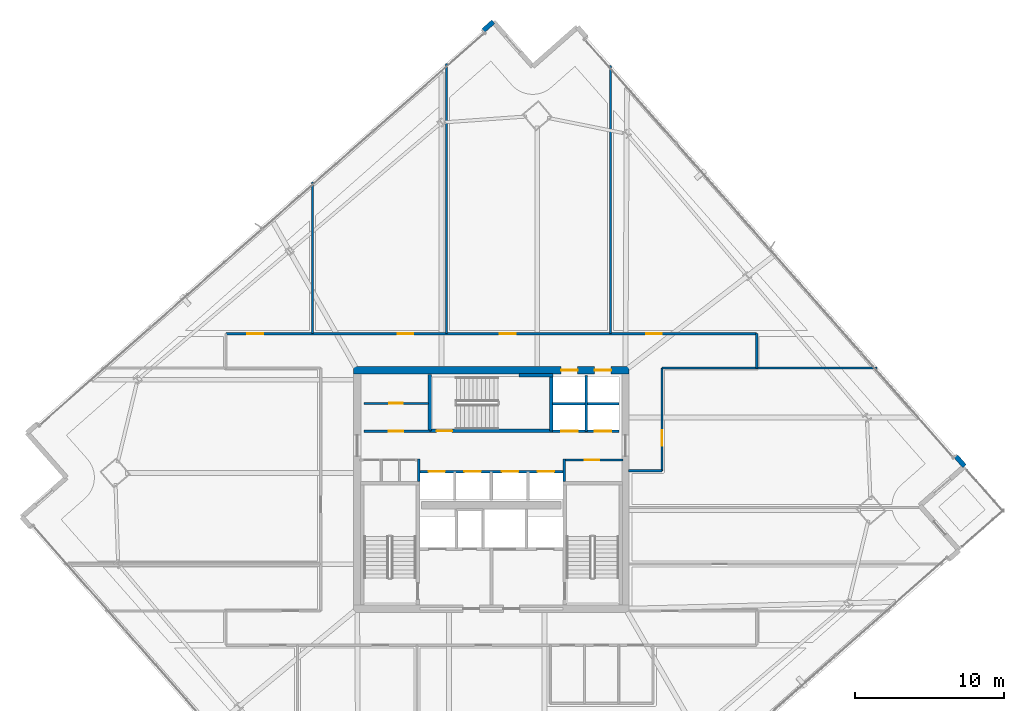
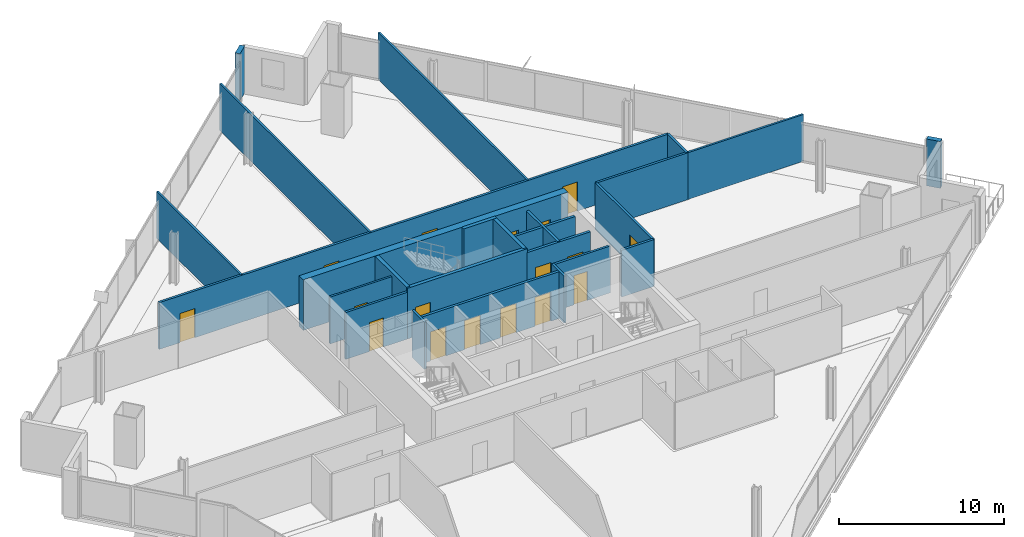
# One storey, part 28 of 34: 25 walls, 17 doors, 17 openings.
"""IFC4 building model written with IfcOpenShell, lengths in metres."""

from ifc_helpers import new_model, si_unit, direction, frame, frame_2d, origin, place, context, subcontext, project, spatial, rectangle, extrude, material, layer, layer_set, type_object, element, fill, save


model = new_model("IFC4")

# Units and contexts
model_context = context("Model", 3, precision=1e-05, world=origin(), true_north=direction((0.0, 1.0)))
body_context = subcontext(model_context, "Body", "Model", "MODEL_VIEW")
ifc_project = project(units=[si_unit("LENGTHUNIT", "METRE"), si_unit("AREAUNIT", "SQUARE_METRE"), si_unit("VOLUMEUNIT", "CUBIC_METRE"), si_unit("PLANEANGLEUNIT", "RADIAN"), si_unit("MASSUNIT", "GRAM", prefix="KILO")], contexts=[model_context])

# Site, building, storey
site_placement = place(None, origin())
site = spatial("IfcSite", under=ifc_project, at=site_placement, CompositionType="ELEMENT")
building_placement = place(site_placement, origin())
building = spatial("IfcBuilding", under=site, at=building_placement, Name="Haldenkirk Collegiate Tower", CompositionType="ELEMENT")
storey_placement = place(building_placement, frame((0.0, 0.0, 166.949951171875)))
storey = spatial("IfcBuildingStorey", under=building, at=storey_placement, Name="L41", CompositionType="ELEMENT", Elevation=166.949951171875)

# Wall, openings, doors
ifc_material_1 = material(Name="Concrete f'c 55 MPa", Category="concrete")
ifc_layer_1 = layer(ifc_material_1, 0.5)
ifc_layer_set_1 = layer_set([ifc_layer_1], Name="Concrete f'c 55 MPa")
wall_type_1 = type_object("IfcWallType", Name="WL-CORE-500", PredefinedType="SHEAR", material=ifc_layer_set_1)
wall_1_placement = place(storey_placement, frame((26.75, 34.0, 0.0), z_axis=(0.0, 0.0, 1.0), x_axis=(1.0, 0.0, 0.0)))
wall_1 = element("IfcWall", 1, at=wall_1_placement, inside=storey, type_object=wall_type_1, Name="L41 central core shear wall N", PredefinedType="SHEAR", context=body_context, shape_type="SweptSolid", body=[
    extrude(rectangle(XDim=18.5, YDim=0.5, at=frame_2d((9.25, 0.0))), origin(), (0.0, 0.0, 1.0), 3.75),
])
opening_1_placement = place(wall_1_placement, frame((13.93505859375, 0.0, 0.0)))
opening_1 = element("IfcOpeningElement", 2, at=opening_1_placement, cuts=wall_1, Name="Opening LD-11", PredefinedType="OPENING", context=body_context, shape_type="SweptSolid", body=[
    extrude(rectangle(XDim=1.10009765625, YDim=2.14990234375, at=frame_2d((0.550048828125, 1.074951171875))), frame((0.0, 0.260009765625, 0.0), z_axis=(0.0, -1.0, 0.0), x_axis=(1.0, 0.0, 0.0)), (0.0, 0.0, 1.0), 0.52001953125),
])
opening_2_placement = place(wall_1_placement, frame((16.18505859375, 0.0, 0.0)))
opening_2 = element("IfcOpeningElement", 3, at=opening_2_placement, cuts=wall_1, Name="Opening LD-11", PredefinedType="OPENING", context=body_context, shape_type="SweptSolid", body=[
    extrude(rectangle(XDim=1.10009765625, YDim=2.14990234375, at=frame_2d((0.550048828125, 1.074951171875))), frame((0.0, 0.260009765625, 0.0), z_axis=(0.0, -1.0, 0.0), x_axis=(1.0, 0.0, 0.0)), (0.0, 0.0, 1.0), 0.52001953125),
])
ifc_material_2 = material(Name="Brushed architectural stainless steel", Category="steel")
ifc_layer_2 = layer(ifc_material_2, 0.06005859375)
ifc_layer_set_2 = layer_set([ifc_layer_2], Name="Brushed architectural stainless steel")
door_type_1 = type_object("IfcDoorType", Name="LD-PASS-1100", OperationType="NOTDEFINED", PredefinedType="DOOR", material=ifc_layer_set_2)
door_1_placement = place(opening_1_placement, origin())
door_1 = element("IfcDoor", 4, at=door_1_placement, inside=storey, type_object=door_type_1, Name="L41 Elevator PM3 sliding landing door", OperationType="SLIDING_TO_LEFT", OverallHeight=2.14990234375, OverallWidth=1.10009765625, PredefinedType="DOOR", context=body_context, shape_type="SweptSolid", body=[
    extrude(rectangle(XDim=1.10009765625, YDim=2.14990234375, at=frame_2d((0.550048828125, 1.074951171875))), frame((0.0, 0.02490234375, 0.0), z_axis=(0.0, -1.0, 0.0), x_axis=(1.0, 0.0, 0.0)), (0.0, 0.0, 1.0), 0.050048828125),
])
fill(opening_1, door_1)
door_2_placement = place(opening_2_placement, origin())
door_2 = element("IfcDoor", 5, at=door_2_placement, inside=storey, type_object=door_type_1, Name="L41 Elevator PM4 sliding landing door", OperationType="SLIDING_TO_LEFT", OverallHeight=2.14990234375, OverallWidth=1.10009765625, PredefinedType="DOOR", context=body_context, shape_type="SweptSolid", body=[
    extrude(rectangle(XDim=1.10009765625, YDim=2.14990234375, at=frame_2d((0.550048828125, 1.074951171875))), frame((0.0, 0.02490234375, 0.0), z_axis=(0.0, -1.0, 0.0), x_axis=(1.0, 0.0, 0.0)), (0.0, 0.0, 1.0), 0.050048828125),
])
fill(opening_2, door_2)

# Walls
ifc_material_3 = material(Name="Precast concrete f'c 40 MPa", Category="concrete")
ifc_layer_3 = layer(ifc_material_3, 0.320068359375)
ifc_layer_set_3 = layer_set([ifc_layer_3], Name="Precast concrete f'c 40 MPa")
wall_type_2 = type_object("IfcWallType", Name="WL-EXT-TWR-320", PredefinedType="STANDARD", material=ifc_layer_set_3)
wall_2_placement = place(storey_placement, frame((67.155517578125, 28.23779296875, 0.0), z_axis=(0.0, 0.0, 1.0), x_axis=(0.661226856215, -0.750186006681, 0.0)))
element("IfcWall", 6, at=wall_2_placement, inside=storey, type_object=wall_type_2, Name="L41 precast corner pier ER", PredefinedType="STANDARD", context=body_context, shape_type="SweptSolid", body=[
    extrude(rectangle(XDim=0.900146484375, YDim=0.320068359375, at=frame_2d((0.4501953125, 0.0))), origin(), (0.0, 0.0, 1.0), 3.4599609375),
])
wall_3_placement = place(storey_placement, frame((35.45703125, 56.783203125, 0.0), z_axis=(0.0, 0.0, 1.0), x_axis=(0.750067388761, 0.661361408246, 0.0)))
element("IfcWall", 7, at=wall_3_placement, inside=storey, type_object=wall_type_2, Name="L41 precast corner pier NR", PredefinedType="STANDARD", context=body_context, shape_type="SweptSolid", body=[
    extrude(rectangle(XDim=0.89990234375, YDim=0.320068359375, at=frame_2d((0.449951171875, 0.0))), origin(), (0.0, 0.0, 1.0), 3.4599609375),
])
ifc_material_4 = material(Name="Acoustic fire-rated gypsum partition", Category="concrete")
ifc_layer_4 = layer(ifc_material_4, 0.159912109375)
ifc_layer_set_4 = layer_set([ifc_layer_4], Name="Acoustic fire-rated gypsum partition")
wall_type_3 = type_object("IfcWallType", Name="WL-INT-CORR-160", PredefinedType="PARTITIONING", material=ifc_layer_set_4)
wall_4_placement = place(storey_placement, frame((31.1201171875, 26.5400390625, 0.0), z_axis=(0.0, 0.0, 1.0), x_axis=(0.0, 1.0, 0.0)))
element("IfcWall", 8, at=wall_4_placement, inside=storey, type_object=wall_type_3, Name="L41 interior partition IW-L41-VCSW-E", PredefinedType="PARTITIONING", context=body_context, shape_type="SweptSolid", body=[
    extrude(rectangle(XDim=1.510009765625, YDim=0.159912109375, at=frame_2d((0.7548828125, 0.0))), origin(), (0.0, 0.0, 1.0), 3.4599609375),
])

# Wall, opening, door
wall_5_placement = place(storey_placement, frame((40.800048828125, 27.97998046875, 0.0), z_axis=(0.0, 0.0, 1.0), x_axis=(1.0, 0.0, 0.0)))
wall_5 = element("IfcWall", 9, at=wall_5_placement, inside=storey, type_object=wall_type_3, Name="L41 interior partition IW-L41-VCSE-N", PredefinedType="PARTITIONING", context=body_context, shape_type="SweptSolid", body=[
    extrude(rectangle(XDim=4.050048828125, YDim=0.159912109375, at=frame_2d((2.02490234375, 0.0))), origin(), (0.0, 0.0, 1.0), 3.4599609375),
])
opening_3_placement = place(wall_5_placement, frame((1.47509765625, 0.0, 0.0)))
opening_3 = element("IfcOpeningElement", 10, at=opening_3_placement, cuts=wall_5, Name="Opening D-10", PredefinedType="OPENING", context=body_context, shape_type="SweptSolid", body=[
    extrude(rectangle(XDim=0.949951171875, YDim=2.14990234375, at=frame_2d((0.47509765625, 1.074951171875))), frame((0.0, 0.08984375, 0.0), z_axis=(0.0, -1.0, 0.0), x_axis=(1.0, 0.0, 0.0)), (0.0, 0.0, 1.0), 0.179931640625),
])
ifc_material_5 = material(Name="Solid-core architectural oak fire door", Category="wood")
ifc_layer_5 = layer(ifc_material_5, 0.06005859375)
ifc_layer_set_5 = layer_set([ifc_layer_5], Name="Solid-core architectural oak fire door")
door_type_2 = type_object("IfcDoorType", Name="DR-INT-FD60-950", OperationType="NOTDEFINED", PredefinedType="DOOR", material=ifc_layer_set_5)
door_3_placement = place(opening_3_placement, origin())
door_3 = element("IfcDoor", 11, at=door_3_placement, inside=storey, type_object=door_type_2, Name="L41 core archive vault door", OperationType="SINGLE_SWING_RIGHT", OverallHeight=2.14990234375, OverallWidth=0.949951171875, PredefinedType="DOOR", context=body_context, shape_type="SweptSolid", body=[
    extrude(rectangle(XDim=0.949951171875, YDim=2.14990234375, at=frame_2d((0.47509765625, 1.074951171875))), frame((0.0, 0.02490234375, 0.0), z_axis=(0.0, -1.0, 0.0), x_axis=(1.0, 0.0, 0.0)), (0.0, 0.0, 1.0), 0.050048828125),
])
fill(opening_3, door_3)

# Wall
wall_6_placement = place(storey_placement, frame((40.8798828125, 26.5400390625, 0.0), z_axis=(0.0, 0.0, 1.0), x_axis=(0.0, 1.0, 0.0)))
element("IfcWall", 12, at=wall_6_placement, inside=storey, type_object=wall_type_3, Name="L41 interior partition IW-L41-VCSE-W", PredefinedType="PARTITIONING", context=body_context, shape_type="SweptSolid", body=[
    extrude(rectangle(XDim=1.510009765625, YDim=0.159912109375, at=frame_2d((0.7548828125, 0.0))), origin(), (0.0, 0.0, 1.0), 3.4599609375),
])

# Wall, opening, door
wall_7_placement = place(storey_placement, frame((27.449951171875, 29.89990234375, 0.0), z_axis=(0.0, 0.0, 1.0), x_axis=(1.0, 0.0, 0.0)))
wall_7 = element("IfcWall", 13, at=wall_7_placement, inside=storey, type_object=wall_type_3, Name="L41 interior partition IW-L41-PLS", PredefinedType="PARTITIONING", context=body_context, shape_type="SweptSolid", body=[
    extrude(rectangle(XDim=4.429931640625, YDim=0.159912109375, at=frame_2d((2.21484375, 0.0))), origin(), (0.0, 0.0, 1.0), 3.4599609375),
])
opening_4_placement = place(wall_7_placement, frame((1.675048828125, 0.0, 0.0)))
opening_4 = element("IfcOpeningElement", 14, at=opening_4_placement, cuts=wall_7, Name="Opening D-10", PredefinedType="OPENING", context=body_context, shape_type="SweptSolid", body=[
    extrude(rectangle(XDim=0.949951171875, YDim=2.14990234375, at=frame_2d((0.47509765625, 1.074951171875))), frame((0.0, 0.08984375, 0.0), z_axis=(0.0, -1.0, 0.0), x_axis=(1.0, 0.0, 0.0)), (0.0, 0.0, 1.0), 0.179931640625),
])
door_4_placement = place(opening_4_placement, origin())
door_4 = element("IfcDoor", 15, at=door_4_placement, inside=storey, type_object=door_type_2, Name="L41 consultation door", OperationType="SINGLE_SWING_LEFT", OverallHeight=2.14990234375, OverallWidth=0.949951171875, PredefinedType="DOOR", context=body_context, shape_type="SweptSolid", body=[
    extrude(rectangle(XDim=0.949951171875, YDim=2.14990234375, at=frame_2d((0.47509765625, 1.074951171875))), frame((0.0, 0.02490234375, 0.0), z_axis=(0.0, -1.0, 0.0), x_axis=(1.0, 0.0, 0.0)), (0.0, 0.0, 1.0), 0.050048828125),
])
fill(opening_4, door_4)

# Wall, openings, doors
wall_8_placement = place(storey_placement, frame((18.199951171875, 36.449951171875, 0.0), z_axis=(0.0, 0.0, 1.0), x_axis=(1.0, 0.0, 0.0)))
wall_8 = element("IfcWall", 16, at=wall_8_placement, inside=storey, type_object=wall_type_3, Name="L41 interior partition IW-L41-CN", PredefinedType="PARTITIONING", context=body_context, shape_type="SweptSolid", body=[
    extrude(rectangle(XDim=35.60009765625, YDim=0.159912109375, at=frame_2d((17.800048828125, 0.0))), origin(), (0.0, 0.0, 1.0), 3.4599609375),
])
opening_5_placement = place(wall_8_placement, frame((1.43701171875, 0.0, 0.0)))
opening_5 = element("IfcOpeningElement", 17, at=opening_5_placement, cuts=wall_8, Name="Opening D-09", PredefinedType="OPENING", context=body_context, shape_type="SweptSolid", body=[
    extrude(rectangle(XDim=1.050048828125, YDim=2.14990234375, at=frame_2d((0.52490234375, 1.074951171875))), frame((0.0, 0.08984375, 0.0), z_axis=(0.0, -1.0, 0.0), x_axis=(1.0, 0.0, 0.0)), (0.0, 0.0, 1.0), 0.179931640625),
])
opening_6_placement = place(wall_8_placement, frame((11.514892578125, 0.0, 0.0)))
opening_6 = element("IfcOpeningElement", 18, at=opening_6_placement, cuts=wall_8, Name="Opening D-09", PredefinedType="OPENING", context=body_context, shape_type="SweptSolid", body=[
    extrude(rectangle(XDim=1.050048828125, YDim=2.14990234375, at=frame_2d((0.52490234375, 1.074951171875))), frame((0.0, 0.08984375, 0.0), z_axis=(0.0, -1.0, 0.0), x_axis=(1.0, 0.0, 0.0)), (0.0, 0.0, 1.0), 0.179931640625),
])
opening_7_placement = place(wall_8_placement, frame((18.375, 0.0, 0.0)))
opening_7 = element("IfcOpeningElement", 19, at=opening_7_placement, cuts=wall_8, Name="Opening D-09", PredefinedType="OPENING", context=body_context, shape_type="SweptSolid", body=[
    extrude(rectangle(XDim=1.050048828125, YDim=2.14990234375, at=frame_2d((0.52490234375, 1.074951171875))), frame((0.0, 0.08984375, 0.0), z_axis=(0.0, -1.0, 0.0), x_axis=(1.0, 0.0, 0.0)), (0.0, 0.0, 1.0), 0.179931640625),
])
opening_8_placement = place(wall_8_placement, frame((28.18505859375, 0.0, 0.0)))
opening_8 = element("IfcOpeningElement", 20, at=opening_8_placement, cuts=wall_8, Name="Opening D-09", PredefinedType="OPENING", context=body_context, shape_type="SweptSolid", body=[
    extrude(rectangle(XDim=1.050048828125, YDim=2.14990234375, at=frame_2d((0.52490234375, 1.074951171875))), frame((0.0, 0.08984375, 0.0), z_axis=(0.0, -1.0, 0.0), x_axis=(1.0, 0.0, 0.0)), (0.0, 0.0, 1.0), 0.179931640625),
])
ifc_layer_6 = layer(ifc_material_5, 0.06005859375)
ifc_layer_set_6 = layer_set([ifc_layer_6], Name="Solid-core architectural oak fire door")
door_type_3 = type_object("IfcDoorType", Name="DR-INT-FD60-1050", OperationType="NOTDEFINED", PredefinedType="DOOR", material=ifc_layer_set_6)
door_5_placement = place(opening_5_placement, origin())
door_5 = element("IfcDoor", 21, at=door_5_placement, inside=storey, type_object=door_type_3, Name="L41 Case Method Seminar Room 4 door", OperationType="SINGLE_SWING_LEFT", OverallHeight=2.14990234375, OverallWidth=1.050048828125, PredefinedType="DOOR", context=body_context, shape_type="SweptSolid", body=[
    extrude(rectangle(XDim=1.050048828125, YDim=2.14990234375, at=frame_2d((0.52490234375, 1.074951171875))), frame((0.0, 0.02490234375, 0.0), z_axis=(0.0, -1.0, 0.0), x_axis=(1.0, 0.0, 0.0)), (0.0, 0.0, 1.0), 0.050048828125),
])
fill(opening_5, door_5)
door_6_placement = place(opening_6_placement, origin())
door_6 = element("IfcDoor", 22, at=door_6_placement, inside=storey, type_object=door_type_3, Name="L41 Breakout Conference Room 5 door", OperationType="SINGLE_SWING_RIGHT", OverallHeight=2.14990234375, OverallWidth=1.050048828125, PredefinedType="DOOR", context=body_context, shape_type="SweptSolid", body=[
    extrude(rectangle(XDim=1.050048828125, YDim=2.14990234375, at=frame_2d((0.52490234375, 1.074951171875))), frame((0.0, 0.02490234375, 0.0), z_axis=(0.0, -1.0, 0.0), x_axis=(1.0, 0.0, 0.0)), (0.0, 0.0, 1.0), 0.050048828125),
])
fill(opening_6, door_6)
door_7_placement = place(opening_7_placement, origin())
door_7 = element("IfcDoor", 23, at=door_7_placement, inside=storey, type_object=door_type_3, Name="L41 Critique Seminar Room 6 door", OperationType="SINGLE_SWING_LEFT", OverallHeight=2.14990234375, OverallWidth=1.050048828125, PredefinedType="DOOR", context=body_context, shape_type="SweptSolid", body=[
    extrude(rectangle(XDim=1.050048828125, YDim=2.14990234375, at=frame_2d((0.52490234375, 1.074951171875))), frame((0.0, 0.02490234375, 0.0), z_axis=(0.0, -1.0, 0.0), x_axis=(1.0, 0.0, 0.0)), (0.0, 0.0, 1.0), 0.050048828125),
])
fill(opening_7, door_7)
door_8_placement = place(opening_8_placement, origin())
door_8 = element("IfcDoor", 24, at=door_8_placement, inside=storey, type_object=door_type_3, Name="L41 Collegiate Commons Lounge 7 door", OperationType="SINGLE_SWING_RIGHT", OverallHeight=2.14990234375, OverallWidth=1.050048828125, PredefinedType="DOOR", context=body_context, shape_type="SweptSolid", body=[
    extrude(rectangle(XDim=1.050048828125, YDim=2.14990234375, at=frame_2d((0.52490234375, 1.074951171875))), frame((0.0, 0.02490234375, 0.0), z_axis=(0.0, -1.0, 0.0), x_axis=(1.0, 0.0, 0.0)), (0.0, 0.0, 1.0), 0.050048828125),
])
fill(opening_8, door_8)

# Wall
wall_9_placement = place(storey_placement, frame((47.449951171875, 34.14990234375, 0.0), z_axis=(0.0, 0.0, 1.0), x_axis=(1.0, 0.0, 0.0)))
element("IfcWall", 25, at=wall_9_placement, inside=storey, type_object=wall_type_3, Name="L41 interior partition IW-L41-CNE", PredefinedType="PARTITIONING", context=body_context, shape_type="SweptSolid", body=[
    extrude(rectangle(XDim=6.35009765625, YDim=0.159912109375, at=frame_2d((3.175048828125, 0.0))), origin(), (0.0, 0.0, 1.0), 3.4599609375),
])

# Wall, opening, door
wall_10_placement = place(storey_placement, frame((47.449951171875, 27.25, 0.0), z_axis=(0.0, 0.0, 1.0), x_axis=(0.0, 1.0, 0.0)))
wall_10 = element("IfcWall", 26, at=wall_10_placement, inside=storey, type_object=wall_type_3, Name="L41 interior partition IW-L41-CE", PredefinedType="PARTITIONING", context=body_context, shape_type="SweptSolid", body=[
    extrude(rectangle(XDim=6.89990234375, YDim=0.159912109375, at=frame_2d((3.449951171875, 0.0))), origin(), (0.0, 0.0, 1.0), 3.4599609375),
])
opening_9_placement = place(wall_10_placement, frame((1.68310546875, 0.0, 0.0)))
opening_9 = element("IfcOpeningElement", 27, at=opening_9_placement, cuts=wall_10, Name="Opening D-09", PredefinedType="OPENING", context=body_context, shape_type="SweptSolid", body=[
    extrude(rectangle(XDim=1.050048828125, YDim=2.14990234375, at=frame_2d((0.52490234375, 1.074951171875))), frame((0.0, 0.08984375, 0.0), z_axis=(0.0, -1.0, 0.0), x_axis=(1.0, 0.0, 0.0)), (0.0, 0.0, 1.0), 0.179931640625),
])
door_9_placement = place(opening_9_placement, origin())
door_9 = element("IfcDoor", 28, at=door_9_placement, inside=storey, type_object=door_type_3, Name="L41 Critique Seminar Room 12 door", OperationType="SINGLE_SWING_LEFT", OverallHeight=2.14990234375, OverallWidth=1.050048828125, PredefinedType="DOOR", context=body_context, shape_type="SweptSolid", body=[
    extrude(rectangle(XDim=1.050048828125, YDim=2.14990234375, at=frame_2d((0.52490234375, 1.074951171875))), frame((0.0, 0.02490234375, 0.0), z_axis=(0.0, -1.0, 0.0), x_axis=(1.0, 0.0, 0.0)), (0.0, 0.0, 1.0), 0.050048828125),
])
fill(opening_9, door_9)

# Walls
wall_11_placement = place(storey_placement, frame((45.199951171875, 27.25, 0.0), z_axis=(0.0, 0.0, 1.0), x_axis=(1.0, 0.0, 0.0)))
element("IfcWall", 29, at=wall_11_placement, inside=storey, type_object=wall_type_3, Name="L41 interior partition IW-L41-CES", PredefinedType="PARTITIONING", context=body_context, shape_type="SweptSolid", body=[
    extrude(rectangle(XDim=2.25, YDim=0.159912109375, at=frame_2d((1.125, 0.0))), origin(), (0.0, 0.0, 1.0), 3.4599609375),
])
wall_12_placement = place(storey_placement, frame((53.800048828125, 34.14990234375, 0.0), z_axis=(0.0, 0.0, 1.0), x_axis=(0.0, 1.0, 0.0)))
element("IfcWall", 30, at=wall_12_placement, inside=storey, type_object=wall_type_3, Name="L41 interior partition IW-L41-CNR", PredefinedType="PARTITIONING", context=body_context, shape_type="SweptSolid", body=[
    extrude(rectangle(XDim=2.300048828125, YDim=0.159912109375, at=frame_2d((1.14990234375, 0.0))), origin(), (0.0, 0.0, 1.0), 3.4599609375),
])

# Wall, opening, door
ifc_layer_7 = layer(ifc_material_4, 0.139892578125)
ifc_layer_set_7 = layer_set([ifc_layer_7], Name="Acoustic fire-rated gypsum partition")
wall_type_4 = type_object("IfcWallType", Name="WL-INT-DIV-140", PredefinedType="PARTITIONING", material=ifc_layer_set_7)
wall_13_placement = place(storey_placement, frame((27.449951171875, 31.780029296875, 0.0), z_axis=(0.0, 0.0, 1.0), x_axis=(1.0, 0.0, 0.0)))
wall_13 = element("IfcWall", 31, at=wall_13_placement, inside=storey, type_object=wall_type_4, Name="L41 interior partition IW-L41-PLDIVH", PredefinedType="PARTITIONING", context=body_context, shape_type="SweptSolid", body=[
    extrude(rectangle(XDim=4.35009765625, YDim=0.139892578125, at=frame_2d((2.175048828125, 0.0))), origin(), (0.0, 0.0, 1.0), 3.4599609375),
])
opening_10_placement = place(wall_13_placement, frame((1.699951171875, 0.0, 0.0)))
opening_10 = element("IfcOpeningElement", 32, at=opening_10_placement, cuts=wall_13, Name="Opening D-13", PredefinedType="OPENING", context=body_context, shape_type="SweptSolid", body=[
    extrude(rectangle(XDim=0.89990234375, YDim=2.14990234375, at=frame_2d((0.449951171875, 1.074951171875))), frame((0.0, 0.079833984375, 0.0), z_axis=(0.0, -1.0, 0.0), x_axis=(1.0, 0.0, 0.0)), (0.0, 0.0, 1.0), 0.159912109375),
])
ifc_layer_8 = layer(ifc_material_5, 0.06005859375)
ifc_layer_set_8 = layer_set([ifc_layer_8], Name="Solid-core architectural oak fire door")
door_type_4 = type_object("IfcDoorType", Name="DR-INT-STD-900", OperationType="NOTDEFINED", PredefinedType="DOOR", material=ifc_layer_set_8)
door_10_placement = place(opening_10_placement, origin())
door_10 = element("IfcDoor", 33, at=door_10_placement, inside=storey, type_object=door_type_4, Name="L41 folio vault door", OperationType="SINGLE_SWING_RIGHT", OverallHeight=2.14990234375, OverallWidth=0.89990234375, PredefinedType="DOOR", context=body_context, shape_type="SweptSolid", body=[
    extrude(rectangle(XDim=0.89990234375, YDim=2.14990234375, at=frame_2d((0.449951171875, 1.074951171875))), frame((0.0, 0.02490234375, 0.0), z_axis=(0.0, -1.0, 0.0), x_axis=(1.0, 0.0, 0.0)), (0.0, 0.0, 1.0), 0.050048828125),
])
fill(opening_10, door_10)

# Walls
wall_14_placement = place(storey_placement, frame((53.800048828125, 34.14990234375, 0.0), z_axis=(0.0, 0.0, 1.0), x_axis=(1.0, 0.0, 0.0)))
element("IfcWall", 34, at=wall_14_placement, inside=storey, type_object=wall_type_4, Name="L41 interior partition IW-L41-BEN", PredefinedType="PARTITIONING", context=body_context, shape_type="SweptSolid", body=[
    extrude(rectangle(XDim=8.08984375, YDim=0.139892578125, at=frame_2d((4.044921875, 0.0))), origin(), (0.0, 0.0, 1.0), 3.4599609375),
])
wall_15_placement = place(storey_placement, frame((24.0, 36.449951171875, 0.0), z_axis=(0.0, 0.0, 1.0), x_axis=(0.0, 1.0, 0.0)))
element("IfcWall", 35, at=wall_15_placement, inside=storey, type_object=wall_type_4, Name="L41 interior partition IW-L41-RN1", PredefinedType="PARTITIONING", context=body_context, shape_type="SweptSolid", body=[
    extrude(rectangle(XDim=10.179443359375, YDim=0.139892578125, at=frame_2d((5.08984375, 0.0))), origin(), (0.0, 0.0, 1.0), 3.4599609375),
])
wall_16_placement = place(storey_placement, frame((33.0, 36.449951171875, 0.0), z_axis=(0.0, 0.0, 1.0), x_axis=(0.0, 1.0, 0.0)))
element("IfcWall", 36, at=wall_16_placement, inside=storey, type_object=wall_type_4, Name="L41 interior partition IW-L41-RN2", PredefinedType="PARTITIONING", context=body_context, shape_type="SweptSolid", body=[
    extrude(rectangle(XDim=18.114013671875, YDim=0.139892578125, at=frame_2d((9.05712890625, 0.0))), origin(), (0.0, 0.0, 1.0), 3.4599609375),
])
wall_17_placement = place(storey_placement, frame((44.0, 36.449951171875, 0.0), z_axis=(0.0, 0.0, 1.0), x_axis=(0.0, 1.0, 0.0)))
element("IfcWall", 37, at=wall_17_placement, inside=storey, type_object=wall_type_4, Name="L41 interior partition IW-L41-RN3", PredefinedType="PARTITIONING", context=body_context, shape_type="SweptSolid", body=[
    extrude(rectangle(XDim=17.9921875, YDim=0.139892578125, at=frame_2d((8.99609375, 0.0))), origin(), (0.0, 0.0, 1.0), 3.4599609375),
])

# Wall, openings, doors
ifc_material_6 = material(Name="Fire-rated gypsum shaftboard assembly", Category="concrete")
ifc_layer_9 = layer(ifc_material_6, 0.179931640625)
ifc_layer_set_9 = layer_set([ifc_layer_9], Name="Fire-rated gypsum shaftboard assembly")
wall_type_5 = type_object("IfcWallType", Name="WL-INT-SHAFT-180", PredefinedType="PARTITIONING", material=ifc_layer_set_9)
wall_18_placement = place(storey_placement, frame((40.1201171875, 29.89990234375, 0.0), z_axis=(0.0, 0.0, 1.0), x_axis=(1.0, 0.0, 0.0)))
wall_18 = element("IfcWall", 38, at=wall_18_placement, inside=storey, type_object=wall_type_5, Name="L41 interior partition IW-L41-PMS", PredefinedType="PARTITIONING", context=body_context, shape_type="SweptSolid", body=[
    extrude(rectangle(XDim=4.429931640625, YDim=0.179931640625, at=frame_2d((2.21484375, 0.0))), origin(), (0.0, 0.0, 1.0), 3.4599609375),
])
opening_11_placement = place(wall_18_placement, frame((0.56494140625, 0.0, 0.0)))
opening_11 = element("IfcOpeningElement", 39, at=opening_11_placement, cuts=wall_18, Name="Opening LD-11", PredefinedType="OPENING", context=body_context, shape_type="SweptSolid", body=[
    extrude(rectangle(XDim=1.10009765625, YDim=2.14990234375, at=frame_2d((0.550048828125, 1.074951171875))), frame((0.0, 0.099853515625, 0.0), z_axis=(0.0, -1.0, 0.0), x_axis=(1.0, 0.0, 0.0)), (0.0, 0.0, 1.0), 0.199951171875),
])
opening_12_placement = place(wall_18_placement, frame((2.81494140625, 0.0, 0.0)))
opening_12 = element("IfcOpeningElement", 40, at=opening_12_placement, cuts=wall_18, Name="Opening LD-11", PredefinedType="OPENING", context=body_context, shape_type="SweptSolid", body=[
    extrude(rectangle(XDim=1.10009765625, YDim=2.14990234375, at=frame_2d((0.550048828125, 1.074951171875))), frame((0.0, 0.099853515625, 0.0), z_axis=(0.0, -1.0, 0.0), x_axis=(1.0, 0.0, 0.0)), (0.0, 0.0, 1.0), 0.199951171875),
])
door_11_placement = place(opening_11_placement, origin())
door_11 = element("IfcDoor", 41, at=door_11_placement, inside=storey, type_object=door_type_1, Name="L41 Elevator PM1 sliding landing door", OperationType="SLIDING_TO_LEFT", OverallHeight=2.14990234375, OverallWidth=1.10009765625, PredefinedType="DOOR", context=body_context, shape_type="SweptSolid", body=[
    extrude(rectangle(XDim=1.10009765625, YDim=2.14990234375, at=frame_2d((0.550048828125, 1.074951171875))), frame((0.0, 0.02490234375, 0.0), z_axis=(0.0, -1.0, 0.0), x_axis=(1.0, 0.0, 0.0)), (0.0, 0.0, 1.0), 0.050048828125),
])
fill(opening_11, door_11)
door_12_placement = place(opening_12_placement, origin())
door_12 = element("IfcDoor", 42, at=door_12_placement, inside=storey, type_object=door_type_1, Name="L41 Elevator PM2 sliding landing door", OperationType="SLIDING_TO_LEFT", OverallHeight=2.14990234375, OverallWidth=1.10009765625, PredefinedType="DOOR", context=body_context, shape_type="SweptSolid", body=[
    extrude(rectangle(XDim=1.10009765625, YDim=2.14990234375, at=frame_2d((0.550048828125, 1.074951171875))), frame((0.0, 0.02490234375, 0.0), z_axis=(0.0, -1.0, 0.0), x_axis=(1.0, 0.0, 0.0)), (0.0, 0.0, 1.0), 0.050048828125),
])
fill(opening_12, door_12)

# Walls
wall_19_placement = place(storey_placement, frame((40.1201171875, 31.75, 0.0), z_axis=(0.0, 0.0, 1.0), x_axis=(1.0, 0.0, 0.0)))
element("IfcWall", 43, at=wall_19_placement, inside=storey, type_object=wall_type_5, Name="L41 interior partition IW-L41-PMM", PredefinedType="PARTITIONING", context=body_context, shape_type="SweptSolid", body=[
    extrude(rectangle(XDim=4.429931640625, YDim=0.179931640625, at=frame_2d((2.21484375, 0.0))), origin(), (0.0, 0.0, 1.0), 3.4599609375),
])
wall_20_placement = place(storey_placement, frame((42.3701171875, 29.89990234375, 0.0), z_axis=(0.0, 0.0, 1.0), x_axis=(0.0, 1.0, 0.0)))
element("IfcWall", 44, at=wall_20_placement, inside=storey, type_object=wall_type_5, Name="L41 interior partition IW-L41-PMV", PredefinedType="PARTITIONING", context=body_context, shape_type="SweptSolid", body=[
    extrude(rectangle(XDim=3.75, YDim=0.179931640625, at=frame_2d((1.875, 0.0))), origin(), (0.0, 0.0, 1.0), 3.4599609375),
])

# Wall, openings, doors
wall_21_placement = place(storey_placement, frame((31.199951171875, 27.199951171875, 0.0), z_axis=(0.0, 0.0, 1.0), x_axis=(1.0, 0.0, 0.0)))
wall_21 = element("IfcWall", 45, at=wall_21_placement, inside=storey, type_object=wall_type_5, Name="L41 interior partition IW-L41-PHN", PredefinedType="PARTITIONING", context=body_context, shape_type="SweptSolid", body=[
    extrude(rectangle(XDim=9.60009765625, YDim=0.179931640625, at=frame_2d((4.800048828125, 0.0))), origin(), (0.0, 0.0, 1.0), 3.4599609375),
])
opening_13_placement = place(wall_21_placement, frame((0.590087890625, 0.0, 0.0)))
opening_13 = element("IfcOpeningElement", 46, at=opening_13_placement, cuts=wall_21, Name="Opening LD-11", PredefinedType="OPENING", context=body_context, shape_type="SweptSolid", body=[
    extrude(rectangle(XDim=1.10009765625, YDim=2.14990234375, at=frame_2d((0.550048828125, 1.074951171875))), frame((0.0, 0.099853515625, 0.0), z_axis=(0.0, -1.0, 0.0), x_axis=(1.0, 0.0, 0.0)), (0.0, 0.0, 1.0), 0.199951171875),
])
opening_14_placement = place(wall_21_placement, frame((2.989990234375, 0.0, 0.0)))
opening_14 = element("IfcOpeningElement", 47, at=opening_14_placement, cuts=wall_21, Name="Opening LD-11", PredefinedType="OPENING", context=body_context, shape_type="SweptSolid", body=[
    extrude(rectangle(XDim=1.10009765625, YDim=2.14990234375, at=frame_2d((0.550048828125, 1.074951171875))), frame((0.0, 0.099853515625, 0.0), z_axis=(0.0, -1.0, 0.0), x_axis=(1.0, 0.0, 0.0)), (0.0, 0.0, 1.0), 0.199951171875),
])
opening_15_placement = place(wall_21_placement, frame((5.510009765625, 0.0, 0.0)))
opening_15 = element("IfcOpeningElement", 48, at=opening_15_placement, cuts=wall_21, Name="Opening LD-11", PredefinedType="OPENING", context=body_context, shape_type="SweptSolid", body=[
    extrude(rectangle(XDim=1.10009765625, YDim=2.14990234375, at=frame_2d((0.550048828125, 1.074951171875))), frame((0.0, 0.099853515625, 0.0), z_axis=(0.0, -1.0, 0.0), x_axis=(1.0, 0.0, 0.0)), (0.0, 0.0, 1.0), 0.199951171875),
])
opening_16_placement = place(wall_21_placement, frame((7.909912109375, 0.0, 0.0)))
opening_16 = element("IfcOpeningElement", 49, at=opening_16_placement, cuts=wall_21, Name="Opening LD-11", PredefinedType="OPENING", context=body_context, shape_type="SweptSolid", body=[
    extrude(rectangle(XDim=1.10009765625, YDim=2.14990234375, at=frame_2d((0.550048828125, 1.074951171875))), frame((0.0, 0.099853515625, 0.0), z_axis=(0.0, -1.0, 0.0), x_axis=(1.0, 0.0, 0.0)), (0.0, 0.0, 1.0), 0.199951171875),
])
door_13_placement = place(opening_13_placement, origin())
door_13 = element("IfcDoor", 50, at=door_13_placement, inside=storey, type_object=door_type_1, Name="L41 Elevator PH1 sliding landing door", OperationType="SLIDING_TO_LEFT", OverallHeight=2.14990234375, OverallWidth=1.10009765625, PredefinedType="DOOR", context=body_context, shape_type="SweptSolid", body=[
    extrude(rectangle(XDim=1.10009765625, YDim=2.14990234375, at=frame_2d((0.550048828125, 1.074951171875))), frame((0.0, 0.02490234375, 0.0), z_axis=(0.0, -1.0, 0.0), x_axis=(1.0, 0.0, 0.0)), (0.0, 0.0, 1.0), 0.050048828125),
])
fill(opening_13, door_13)
door_14_placement = place(opening_14_placement, origin())
door_14 = element("IfcDoor", 51, at=door_14_placement, inside=storey, type_object=door_type_1, Name="L41 Elevator PH2 sliding landing door", OperationType="SLIDING_TO_LEFT", OverallHeight=2.14990234375, OverallWidth=1.10009765625, PredefinedType="DOOR", context=body_context, shape_type="SweptSolid", body=[
    extrude(rectangle(XDim=1.10009765625, YDim=2.14990234375, at=frame_2d((0.550048828125, 1.074951171875))), frame((0.0, 0.02490234375, 0.0), z_axis=(0.0, -1.0, 0.0), x_axis=(1.0, 0.0, 0.0)), (0.0, 0.0, 1.0), 0.050048828125),
])
fill(opening_14, door_14)
door_15_placement = place(opening_15_placement, origin())
door_15 = element("IfcDoor", 52, at=door_15_placement, inside=storey, type_object=door_type_1, Name="L41 Elevator PH3 sliding landing door", OperationType="SLIDING_TO_LEFT", OverallHeight=2.14990234375, OverallWidth=1.10009765625, PredefinedType="DOOR", context=body_context, shape_type="SweptSolid", body=[
    extrude(rectangle(XDim=1.10009765625, YDim=2.14990234375, at=frame_2d((0.550048828125, 1.074951171875))), frame((0.0, 0.02490234375, 0.0), z_axis=(0.0, -1.0, 0.0), x_axis=(1.0, 0.0, 0.0)), (0.0, 0.0, 1.0), 0.050048828125),
])
fill(opening_15, door_15)
door_16_placement = place(opening_16_placement, origin())
door_16 = element("IfcDoor", 53, at=door_16_placement, inside=storey, type_object=door_type_1, Name="L41 Elevator PH4 sliding landing door", OperationType="SLIDING_TO_LEFT", OverallHeight=2.14990234375, OverallWidth=1.10009765625, PredefinedType="DOOR", context=body_context, shape_type="SweptSolid", body=[
    extrude(rectangle(XDim=1.10009765625, YDim=2.14990234375, at=frame_2d((0.550048828125, 1.074951171875))), frame((0.0, 0.02490234375, 0.0), z_axis=(0.0, -1.0, 0.0), x_axis=(1.0, 0.0, 0.0)), (0.0, 0.0, 1.0), 0.050048828125),
])
fill(opening_16, door_16)

# Wall, opening, door
ifc_layer_10 = layer(ifc_material_1, 0.239990234375)
ifc_layer_set_10 = layer_set([ifc_layer_10], Name="Concrete f'c 55 MPa")
wall_type_6 = type_object("IfcWallType", Name="WL-SHAFT-240", PredefinedType="SHEAR", material=ifc_layer_set_10)
wall_22_placement = place(storey_placement, frame((31.760009765625, 29.929931640625, 0.0), z_axis=(0.0, 0.0, 1.0), x_axis=(1.0, 0.0, 0.0)))
wall_22 = element("IfcWall", 54, at=wall_22_placement, inside=storey, type_object=wall_type_6, Name="L41 stair shaft shear wall SW-L41-ST3S", PredefinedType="SHEAR", context=body_context, shape_type="SweptSolid", body=[
    extrude(rectangle(XDim=8.3798828125, YDim=0.239990234375, at=frame_2d((4.18994140625, 0.0))), origin(), (0.0, 0.0, 1.0), 3.75),
])
opening_17_placement = place(wall_22_placement, frame((0.56494140625, 0.0, 0.0)))
opening_17 = element("IfcOpeningElement", 55, at=opening_17_placement, cuts=wall_22, Name="Opening D-01", PredefinedType="OPENING", context=body_context, shape_type="SweptSolid", body=[
    extrude(rectangle(XDim=1.050048828125, YDim=2.14990234375, at=frame_2d((0.52490234375, 1.074951171875))), frame((0.0, 0.1298828125, 0.0), z_axis=(0.0, -1.0, 0.0), x_axis=(1.0, 0.0, 0.0)), (0.0, 0.0, 1.0), 0.260009765625),
])
ifc_material_7 = material(Name="Galvanized fire-rated hollow steel door", Category="steel")
ifc_layer_11 = layer(ifc_material_7, 0.06005859375)
ifc_layer_set_11 = layer_set([ifc_layer_11], Name="Galvanized fire-rated hollow steel door")
door_type_5 = type_object("IfcDoorType", Name="DR-STAIR-FD90-1050", OperationType="NOTDEFINED", PredefinedType="DOOR", material=ifc_layer_set_11)
door_17_placement = place(opening_17_placement, origin())
door_17 = element("IfcDoor", 56, at=door_17_placement, inside=storey, type_object=door_type_5, Name="L41 lift lobby Stair 3 door", OperationType="SINGLE_SWING_LEFT", OverallHeight=2.14990234375, OverallWidth=1.050048828125, PredefinedType="DOOR", context=body_context, shape_type="SweptSolid", body=[
    extrude(rectangle(XDim=1.050048828125, YDim=2.14990234375, at=frame_2d((0.52490234375, 1.074951171875))), frame((0.0, 0.02490234375, 0.0), z_axis=(0.0, -1.0, 0.0), x_axis=(1.0, 0.0, 0.0)), (0.0, 0.0, 1.0), 0.050048828125),
])
fill(opening_17, door_17)

# Walls
wall_23_placement = place(storey_placement, frame((31.8798828125, 29.929931640625, 0.0), z_axis=(0.0, 0.0, 1.0), x_axis=(0.0, 1.0, 0.0)))
element("IfcWall", 57, at=wall_23_placement, inside=storey, type_object=wall_type_6, Name="L41 stair shaft shear wall SW-L41-ST3W", PredefinedType="SHEAR", context=body_context, shape_type="SweptSolid", body=[
    extrude(rectangle(XDim=3.7900390625, YDim=0.239990234375, at=frame_2d((1.89501953125, 0.0))), origin(), (0.0, 0.0, 1.0), 3.75),
])
wall_24_placement = place(storey_placement, frame((40.02001953125, 29.929931640625, 0.0), z_axis=(0.0, 0.0, 1.0), x_axis=(0.0, 1.0, 0.0)))
element("IfcWall", 58, at=wall_24_placement, inside=storey, type_object=wall_type_6, Name="L41 stair shaft shear wall SW-L41-ST3E", PredefinedType="SHEAR", context=body_context, shape_type="SweptSolid", body=[
    extrude(rectangle(XDim=3.85009765625, YDim=0.239990234375, at=frame_2d((1.925048828125, 0.0))), origin(), (0.0, 0.0, 1.0), 3.75),
])
wall_25_placement = place(storey_placement, frame((37.85009765625, 33.659912109375, 0.0), z_axis=(0.0, 0.0, 1.0), x_axis=(1.0, 0.0, 0.0)))
element("IfcWall", 59, at=wall_25_placement, inside=storey, type_object=wall_type_6, Name="L41 stair shaft shear wall SW-L41-ST3N", PredefinedType="SHEAR", context=body_context, shape_type="SweptSolid", body=[
    extrude(rectangle(XDim=2.289794921875, YDim=0.239990234375, at=frame_2d((1.14501953125, 0.0))), origin(), (0.0, 0.0, 1.0), 3.75),
])

save(model, "model.ifc")
